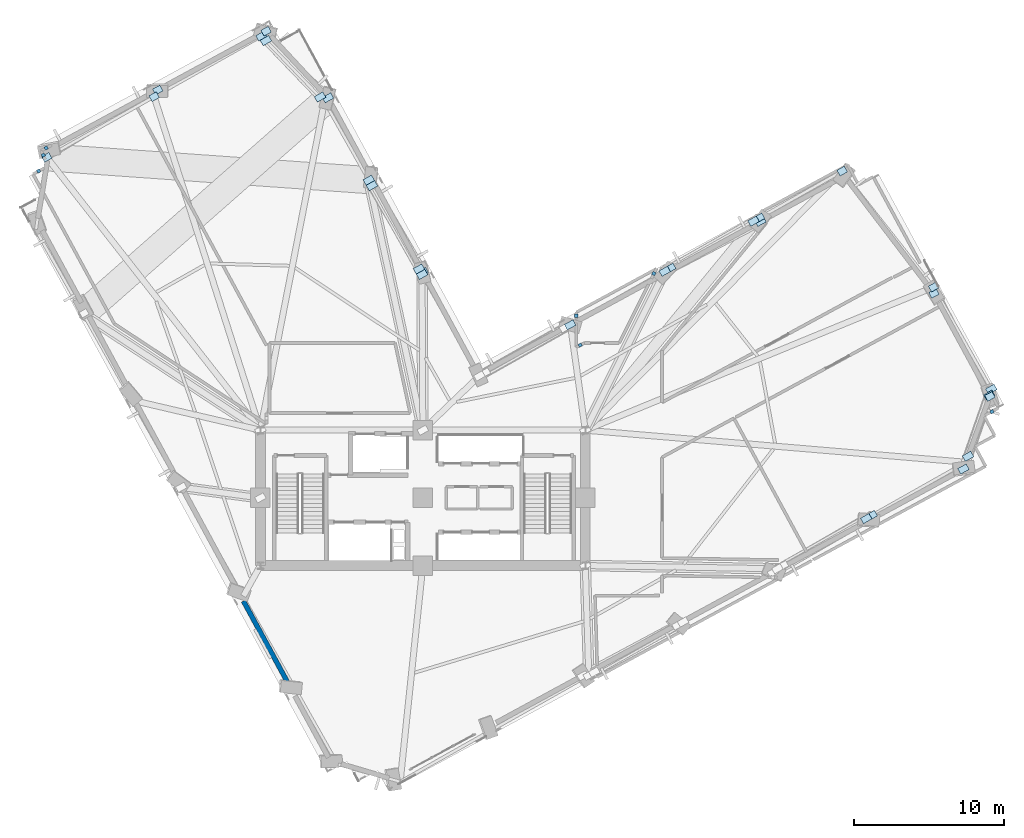
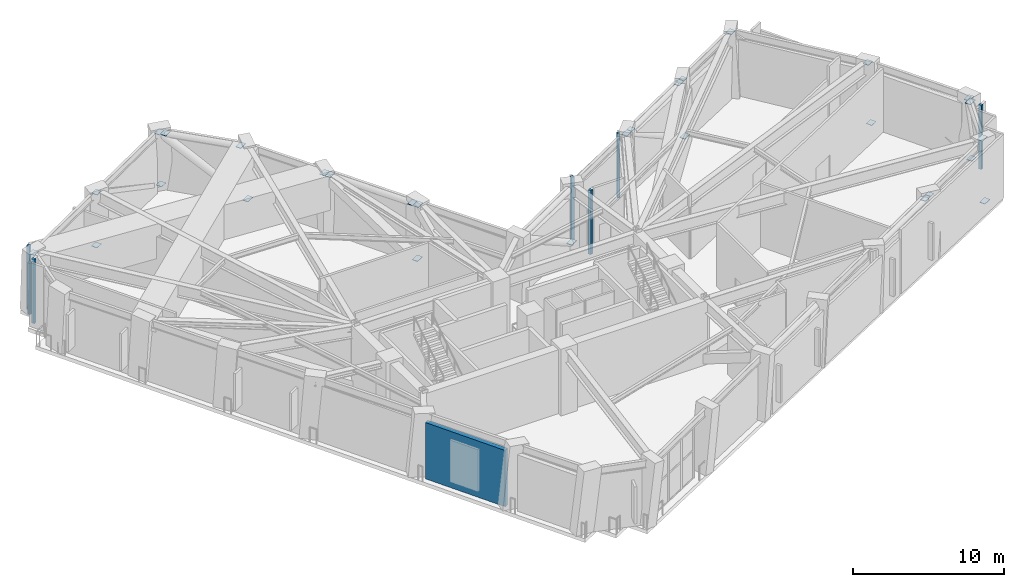
# One storey, part 7 of 15: 36 plates, 1 wall.
"""IFC4 building model written with IfcOpenShell, lengths in metres."""

from ifc_helpers import new_model, si_unit, direction, frame, frame_2d, origin, origin_2d, place, context, subcontext, project, spatial, rectangle, extrude, material, layer, layer_set, type_object, element, save


model = new_model("IFC4")

# Units and contexts
model_context = context("Model", 3, precision=1e-05, world=origin(), true_north=direction((0.0, 1.0)))
body_context = subcontext(model_context, "Body", "Model", "MODEL_VIEW")
ifc_project = project(units=[si_unit("LENGTHUNIT", "METRE"), si_unit("AREAUNIT", "SQUARE_METRE"), si_unit("VOLUMEUNIT", "CUBIC_METRE"), si_unit("PLANEANGLEUNIT", "RADIAN"), si_unit("MASSUNIT", "GRAM", prefix="KILO")], contexts=[model_context])

# Site, building, storey
site_placement = place(None, origin())
site = spatial("IfcSite", under=ifc_project, at=site_placement, CompositionType="ELEMENT")
building_placement = place(site_placement, origin())
building = spatial("IfcBuilding", under=site, at=building_placement, Name="Gaonmaruhae Medical Tower", CompositionType="ELEMENT")
storey_placement = place(building_placement, frame((0.0, 0.0, 144.39990234375)))
storey = spatial("IfcBuildingStorey", under=building, at=storey_placement, Name="L34", CompositionType="ELEMENT", Elevation=144.39990234375)

# Plates
ifc_material_1 = material(Name="Steel HSA650 (650 MPa)", Category="steel")
ifc_layer_1 = layer(ifc_material_1, 0.035888671875)
ifc_layer_set_1 = layer_set([ifc_layer_1], Name="Steel HSA650 (650 MPa)")
plate_type_1 = type_object("IfcPlateType", Name="GP-01 Outrigger Gusset & End Cap Plate", PredefinedType="USERDEFINED", material=ifc_layer_set_1)
for number, where, z_axis, x_axis, name in (
    (1, (47.1513671875, 30.901123046875, 4.81201171875), (0.0, 0.0, 1.0), (0.8707850851, 0.491663844071, 0.0), "L34 Gusset Cap Plate PLT-L34-OTD03B"),
    (2, (40.881591796875, 27.361083984375, 4.81201171875), (0.0, 0.0, 1.0), (0.8707850851, 0.491663844071, 0.0), "L34 Gusset Cap Plate PLT-L34-OTD04B"),
    (3, (24.749755859375, 27.152587890625, 4.81201171875), (0.0, 0.0, 1.0), (0.8707850851, 0.491663844071, 0.0), "L34 Gusset Cap Plate PLT-L34-OTD05B"),
    (4, (21.209716796875, 33.42236328125, 4.81201171875), (0.0, 0.0, 1.0), (0.8707850851, 0.491663844071, 0.0), "L34 Gusset Cap Plate PLT-L34-OTD06B"),
    (5, (54.640625, 11.12841796875, 4.81201171875), (0.0, 0.0, 1.0), (0.8707850851, 0.491663844071, 0.0), "L34 Gusset Cap Plate PLT-L34-BTD02B"),
    (6, (54.27490234375, 10.921875, 4.81201171875), (0.0, 0.0, 1.0), (0.8707850851, 0.491663844071, 0.0), "L34 Gusset Cap Plate PLT-L34-BTC02B"),
    (7, (60.738525390625, 14.216796875, 0.33203125), (0.0, 0.0, 1.0), (0.878817112662, 0.47715876026, 0.0), "L34 Gusset Cap Plate PLT-L34-BTD03A"),
    (8, (62.591064453125, 19.52197265625, 4.81201171875), (0.0, 0.0, 1.0), (0.8707850851, 0.491663844071, 0.0), "L34 Gusset Cap Plate PLT-L34-BTD03B"),
    (9, (61.047607421875, 15.065185546875, 4.81201171875), (0.0, 0.0, 1.0), (0.8707850851, 0.491663844071, 0.0), "L34 Gusset Cap Plate PLT-L34-BTC03A"),
    (10, (62.45361328125, 19.125, 4.81201171875), (0.0, 0.0, 1.0), (0.8707850851, 0.491663844071, 0.0), "L34 Gusset Cap Plate PLT-L34-BTC03B"),
    (11, (47.250732421875, 30.675537109375, 0.33203125), (0.0, 0.0, 1.0), (0.878817112662, 0.47715876026, 0.0), "L34 Gusset Cap Plate PLT-L34-BTD04A"),
    (12, (46.78564453125, 30.694580078125, 4.81201171875), (0.0, 0.0, 1.0), (0.8707850851, 0.491663844071, 0.0), "L34 Gusset Cap Plate PLT-L34-BTC04A"),
    (13, (41.24755859375, 27.567626953125, 4.81201171875), (0.0, 0.0, 1.0), (0.8707850851, 0.491663844071, 0.0), "L34 Gusset Cap Plate PLT-L34-BTC04B"),
    (14, (34.595703125, 23.804443359375, 0.33203125), (0.0, 0.0, 1.0), (0.878817112662, 0.47715876026, 0.0), "L34 Gusset Cap Plate PLT-L34-BTD05A"),
    (15, (24.7900390625, 27.299072265625, 0.33203125), (0.0, 0.0, 1.0), (0.878817112662, 0.47715876026, 0.0), "L34 Gusset Cap Plate PLT-L34-BTD06A"),
    (16, (24.543212890625, 27.518310546875, 4.81201171875), (0.0, 0.0, 1.0), (0.8707850851, 0.491663844071, 0.0), "L34 Gusset Cap Plate PLT-L34-BTC06A"),
    (17, (21.416259765625, 33.056640625, 4.81201171875), (0.0, 0.0, 1.0), (0.8707850851, 0.491663844071, 0.0), "L34 Gusset Cap Plate PLT-L34-BTC06B"),
    (18, (18.491455078125, 38.8994140625, 0.33203125), (0.0, 0.0, 1.0), (0.878817112662, 0.47715876026, 0.0), "L34 Gusset Cap Plate PLT-L34-BTD07A"),
    (19, (14.077392578125, 43.003662109375, 4.81201171875), (0.0, 0.0, 1.0), (0.8707850851, 0.491663844071, 0.0), "L34 Gusset Cap Plate PLT-L34-BTD07B"),
    (20, (17.968994140625, 38.949951171875, 4.81201171875), (0.0, 0.0, 1.0), (0.8707850851, 0.491663844071, 0.0), "L34 Gusset Cap Plate PLT-L34-BTC07A"),
    (21, (14.3681640625, 42.70068359375, 4.81201171875), (0.0, 0.0, 1.0), (0.8707850851, 0.491663844071, 0.0), "L34 Gusset Cap Plate PLT-L34-BTC07B"),
):
    element("IfcPlate", number, at=place(storey_placement, frame(where, z_axis=z_axis, x_axis=x_axis)), inside=storey, type_object=plate_type_1, Name=name, ObjectType="GUSSET_PLATE", PredefinedType="USERDEFINED", context=body_context, shape_type="SweptSolid", body=[
        extrude(rectangle(XDim=0.64990234375, YDim=0.419921875, at=origin_2d()), origin(), (0.0, 0.0, 1.0), 0.035888671875),
    ])
ifc_layer_2 = layer(ifc_material_1, 0.028076171875)
ifc_layer_set_2 = layer_set([ifc_layer_2], Name="Steel HSA650 (650 MPa)")
plate_type_2 = type_object("IfcPlateType", Name="GP-02 Tube Brace End Cap Gusset Plate", PredefinedType="USERDEFINED", material=ifc_layer_set_2)
for number, where, z_axis, x_axis, name in (
    (22, (62.499755859375, 19.0419921875, 0.23583984375), (0.0, 0.0, 1.0), (0.878817112662, 0.47715876026, 0.0), "L34 Gusset Cap Plate PLT-L34-PBR-E01A"),
    (23, (58.756103515625, 26.31396484375, 4.916015625), (0.0, 0.0, 1.0), (0.8707850851, 0.491663844071, 0.0), "L34 Gusset Cap Plate PLT-L34-PBR-E01B"),
    (24, (7.175537109375, 39.412109375, 0.23583984375), (0.0, 0.0, 1.0), (0.878817112662, 0.47715876026, 0.0), "L34 Gusset Cap Plate PLT-L34-PBR-N02A"),
    (25, (-0.20361328125, 34.940185546875, 4.916015625), (0.0, 0.0, 1.0), (0.8707850851, 0.491663844071, 0.0), "L34 Gusset Cap Plate PLT-L34-PBR-N02B"),
    (26, (58.77783203125, 25.896728515625, 0.2861328125), (0.0, 0.0, 1.0), (0.878817112662, 0.47715876026, 0.0), "L34 Gusset Cap Plate PLT-L34-CST1A"),
    (27, (52.680908203125, 34.023193359375, 4.8662109375), (0.0, 0.0, 1.0), (0.8707850851, 0.491663844071, 0.0), "L34 Gusset Cap Plate PLT-L34-CST1B"),
    (28, (14.3818359375, 43.32470703125, 0.2861328125), (0.0, 0.0, 1.0), (0.878817112662, 0.47715876026, 0.0), "L34 Gusset Cap Plate PLT-L34-CST2A"),
    (29, (6.93701171875, 38.971923828125, 4.8662109375), (0.0, 0.0, 1.0), (0.8707850851, 0.491663844071, 0.0), "L34 Gusset Cap Plate PLT-L34-CST2B"),
):
    element("IfcPlate", number, at=place(storey_placement, frame(where, z_axis=z_axis, x_axis=x_axis)), inside=storey, type_object=plate_type_2, Name=name, ObjectType="GUSSET_PLATE", PredefinedType="USERDEFINED", context=body_context, shape_type="SweptSolid", body=[
        extrude(rectangle(XDim=0.56005859375, YDim=0.43994140625, at=origin_2d()), origin(), (0.0, 0.0, 1.0), 0.028076171875),
    ])
ifc_material_2 = material(Name="Anodised aluminium 6063-T6", Category="aluminium")
ifc_layer_3 = layer(ifc_material_2, 0.011962890625)
ifc_layer_set_3 = layer_set([ifc_layer_3], Name="Anodised aluminium 6063-T6")
plate_type_3 = type_object("IfcPlateType", Name="PP-01 Interior Partition Corner Stiffener Plate", PredefinedType="SHEET", material=ifc_layer_set_3)
for number, where, z_axis, x_axis, name in (
    (30, (62.635986328125, 18.034912109375, 0.0), (0.0, 0.0, 1.0), (-0.878642165818, -0.477480831497, 0.0), "L34 Partition Corner Stiffener Plate PLT-L34-JGP-PW032"),
    (31, (35.26611328125, 22.45654296875, 0.0), (0.0, 0.0, 1.0), (-0.885604473216, -0.464440218995, 0.0), "L34 Partition Corner Stiffener Plate PLT-L34-JGP-PW045"),
    (32, (35.0, 24.4140625, 0.0), (0.0, 0.0, 1.0), (0.0, 1.0, 0.0), "L34 Partition Corner Stiffener Plate PLT-L34-JGP-PW047"),
    (33, (40.160888671875, 27.216064453125, 0.0), (0.0, 0.0, 1.0), (-0.44721279659, -0.894427590455, 0.0), "L34 Partition Corner Stiffener Plate PLT-L34-JGP-PW049"),
    (34, (-0.237548828125, 35.55810546875, 0.0), (0.0, 0.0, 1.0), (0.879050191473, 0.476729232239, 0.0), "L34 Partition Corner Stiffener Plate PLT-L34-JGP-PW052"),
    (35, (-0.74658203125, 34.029052734375, 0.0), (0.0, 0.0, 1.0), (0.878900379191, 0.477005370471, 0.0), "L34 Partition Corner Stiffener Plate PLT-L34-JGP-PW058"),
):
    element("IfcPlate", number, at=place(storey_placement, frame(where, z_axis=z_axis, x_axis=x_axis)), inside=storey, type_object=plate_type_3, Name=name, PredefinedType="SHEET", context=body_context, shape_type="SweptSolid", body=[
        extrude(rectangle(XDim=0.219970703125, YDim=0.219970703125, at=origin_2d()), origin(), (0.0, 0.0, 1.0), 5.179931640625),
    ])
plate_placement = place(storey_placement, frame((-0.430419921875, 35.08203125, 0.0), z_axis=(0.0, 0.0, 1.0), x_axis=(-0.476376320475, 0.879241492021, 0.0)))
element("IfcPlate", 36, at=plate_placement, inside=storey, type_object=plate_type_3, Name="L34 Partition Corner Stiffener Plate PLT-L34-JGP-PW059", PredefinedType="SHEET", context=body_context, shape_type="SweptSolid", body=[
    extrude(rectangle(XDim=0.219970703125, YDim=0.219970703125, at=origin_2d()), origin(), (0.0, 0.0, 1.0), 4.14501953125),
])

# Wall
ifc_material_3 = material(Name="Precast concrete C45/55", Category="concrete")
ifc_layer_4 = layer(ifc_material_3, 0.320068359375)
ifc_layer_set_4 = layer_set([ifc_layer_4], Name="Precast concrete C45/55")
wall_type = type_object("IfcWallType", Name="EW-320 Lower Precast Masonry-Frame Facade Wall", PredefinedType="SOLIDWALL", material=ifc_layer_set_4)
wall_placement = place(storey_placement, frame((15.843505859375, -0.02490234375, 0.0), z_axis=(0.0, 0.0, 1.0), x_axis=(-0.477133415643, 0.878830873193, 0.0)))
element("IfcWall", 37, at=wall_placement, inside=storey, type_object=wall_type, Name="L34 Precast Masonry-Frame Wall W05-W06", PredefinedType="SOLIDWALL", context=body_context, shape_type="SweptSolid", body=[
    extrude(rectangle(XDim=6.2236328125, YDim=0.320068359375, at=frame_2d((3.11181640625, 0.0))), origin(), (0.0, 0.0, 1.0), 4.565185546875),
])

save(model, "model.ifc")
